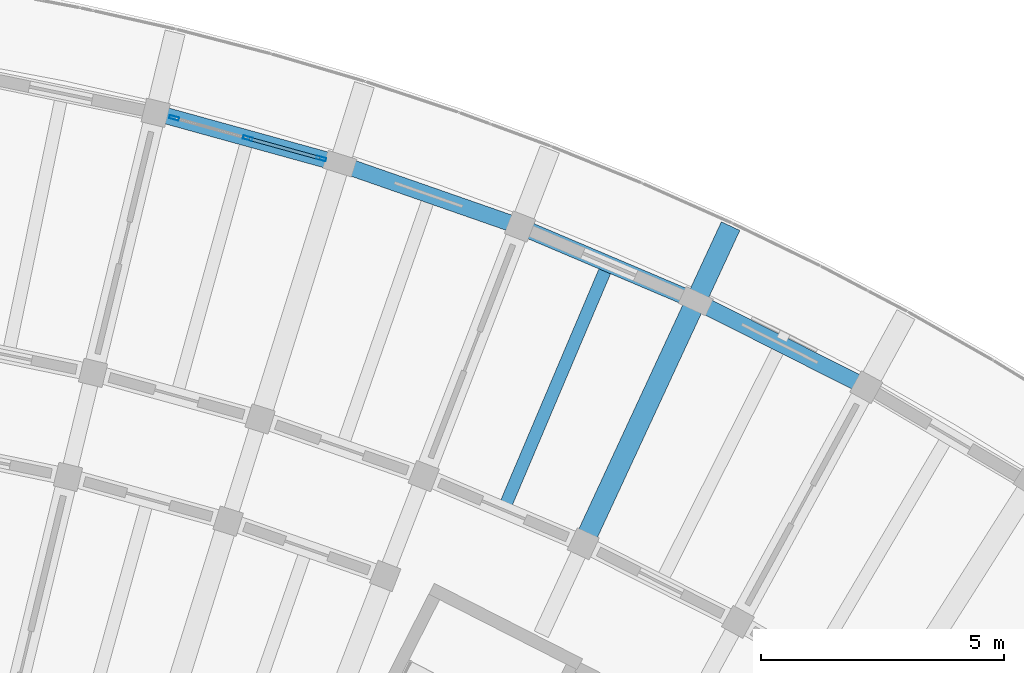
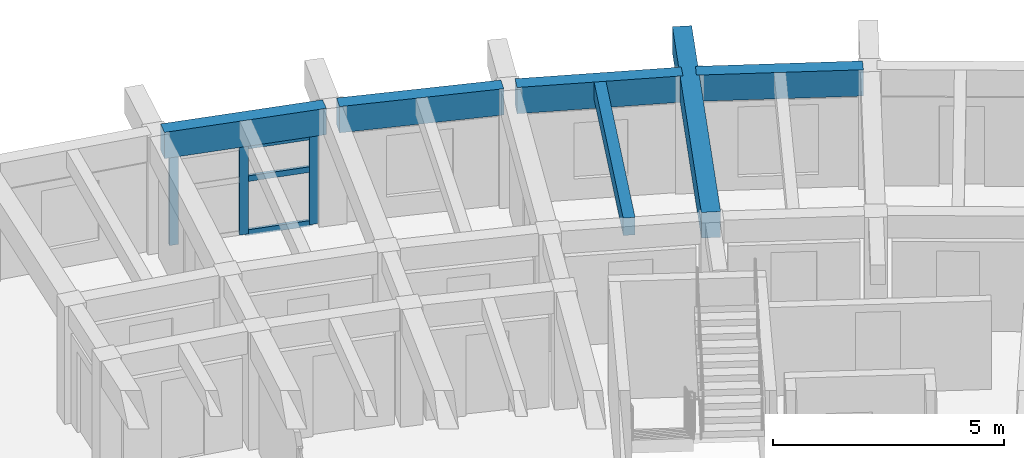
# One storey, part 30 of 83: 6 beams, 6 members, 1 element without a shape of its own.
"""IFC4 building model written with IfcOpenShell, lengths in metres."""

from ifc_helpers import new_model, si_unit, direction, frame, origin, origin_2d, place, context, subcontext, project, spatial, rectangle, hollow_rectangle, extrude, material, material_profile, profile_set, type_object, element, aggregate, save


model = new_model("IFC4")

# Units and contexts
model_context = context("Model", 3, precision=1e-05, world=origin(), true_north=direction((0.0, 1.0)))
body_context = subcontext(model_context, "Body", "Model", "MODEL_VIEW")
ifc_project = project(units=[si_unit("LENGTHUNIT", "METRE"), si_unit("AREAUNIT", "SQUARE_METRE"), si_unit("VOLUMEUNIT", "CUBIC_METRE"), si_unit("PLANEANGLEUNIT", "RADIAN"), si_unit("MASSUNIT", "GRAM", prefix="KILO")], contexts=[model_context])

# Site, building, storey
site_placement = place(None, origin())
site = spatial("IfcSite", under=ifc_project, at=site_placement, CompositionType="ELEMENT")
building_placement = place(site_placement, origin())
building = spatial("IfcBuilding", under=site, at=building_placement, Name="Tanwirah Colonnade Gardens", CompositionType="ELEMENT")
storey_placement = place(building_placement, frame((0.0, 0.0, 25.639892578125)))
storey = spatial("IfcBuildingStorey", under=building, at=storey_placement, Name="L07", CompositionType="ELEMENT", Elevation=25.639892578125)

# Beam
ifc_material_1 = material(Name="Precast concrete C45/55", Category="concrete")
ifc_material_profile_1 = material_profile(ifc_material_1, rectangle(XDim=0.419921875, YDim=0.679931640625, at=origin_2d()), Name="PC-BM 420x680")
ifc_profile_set_1 = profile_set([ifc_material_profile_1], Name="Precast concrete C45/55")
beam_type_1 = type_object("IfcBeamType", Name="BM-PC420", PredefinedType="BEAM", material=ifc_profile_set_1)
beam_1_placement = place(storey_placement, frame((143.810546875, 109.3662109375, 2.77001953125), z_axis=(0.420855908645, 0.9071275016, 0.0), x_axis=(-0.9071275016, 0.420855908645, 0.0)))
element("IfcBeam", 1, at=beam_1_placement, inside=storey, type_object=beam_type_1, Name="Block B L07 Outer Radial Precast Girder 13", PredefinedType="BEAM", context=body_context, shape_type="SweptSolid", body=[
    extrude(rectangle(XDim=0.419921875, YDim=0.679931640625, at=origin_2d()), origin(), (0.0, 0.0, 1.0), 7.050048828125),
])

# Curtain wall, members
ifc_material_2 = material(Name="Bronze-anodised aluminium and solar-control low-E glass", Category="aluminium")
curtain_wall_type = type_object("IfcCurtainWallType", Name="CW-LOB", PredefinedType="NOTDEFINED", material=ifc_material_2)
curtain_wall_placement = place(storey_placement, origin())
curtain_wall = element("IfcCurtainWall", 2, at=curtain_wall_placement, inside=storey, type_object=curtain_wall_type, Name="Curtain Wall CW-B-L07-OUT-15", PredefinedType="NOTDEFINED")
ifc_material_3 = material(Name="Bronze-anodised aluminium", Category="aluminium")
ifc_material_profile_2 = material_profile(ifc_material_3, hollow_rectangle(XDim=0.070068359375, YDim=0.199951171875, WallThickness=0.00390625, at=origin_2d()), Name="CW-MUL 70x200x4")
ifc_profile_set_2 = profile_set([ifc_material_profile_2], Name="Bronze-anodised aluminium")
member_type_1 = type_object("IfcMemberType", Name="CWM-70x200", PredefinedType="MULLION", material=ifc_profile_set_2)
member_1_placement = place(storey_placement, frame((138.361083984375, 117.15087890625, 0.0), z_axis=(0.0, 0.0, 1.0), x_axis=(-0.266304528994, -0.963888944764, 0.0)))
member_1 = element("IfcMember", 3, at=member_1_placement, type_object=member_type_1, Name="CW-LOB mullion 1", PredefinedType="MULLION", context=body_context, shape_type="SweptSolid", body=[
    extrude(hollow_rectangle(XDim=0.070068359375, YDim=0.199951171875, WallThickness=0.00390625, at=origin_2d()), origin(), (0.0, 0.0, 1.0), 2.355224609375),
])
member_2_placement = place(storey_placement, frame((136.849853515625, 117.568359375, 0.0), z_axis=(0.0, 0.0, 1.0), x_axis=(-0.266304528994, -0.963888944764, 0.0)))
member_2 = element("IfcMember", 4, at=member_2_placement, type_object=member_type_1, Name="CW-LOB mullion 2", PredefinedType="MULLION", context=body_context, shape_type="SweptSolid", body=[
    extrude(hollow_rectangle(XDim=0.070068359375, YDim=0.199951171875, WallThickness=0.00390625, at=origin_2d()), origin(), (0.0, 0.0, 1.0), 2.355224609375),
])
member_3_placement = place(storey_placement, frame((135.338623046875, 117.98583984375, 0.0), z_axis=(0.0, 0.0, 1.0), x_axis=(-0.266304528994, -0.963888944764, 0.0)))
member_3 = element("IfcMember", 5, at=member_3_placement, type_object=member_type_1, Name="CW-LOB mullion 3", PredefinedType="MULLION", context=body_context, shape_type="SweptSolid", body=[
    extrude(hollow_rectangle(XDim=0.070068359375, YDim=0.199951171875, WallThickness=0.00390625, at=origin_2d()), origin(), (0.0, 0.0, 1.0), 2.355224609375),
])
ifc_material_profile_3 = material_profile(ifc_material_3, hollow_rectangle(XDim=0.070068359375, YDim=0.14990234375, WallThickness=0.00390625, at=origin_2d()), Name="CW-TRN 70x150x4")
ifc_profile_set_3 = profile_set([ifc_material_profile_3], Name="Bronze-anodised aluminium")
member_type_2 = type_object("IfcMemberType", Name="CWT-70x150", PredefinedType="USERDEFINED", material=ifc_profile_set_3)
member_4_placement = place(storey_placement, frame((138.3271484375, 117.16015625, 0.03515625), z_axis=(-0.963874363774, 0.26635729924, 0.0), x_axis=(-0.26635729924, -0.963874363774, 0.0)))
member_4 = element("IfcMember", 6, at=member_4_placement, type_object=member_type_2, Name="CW-LOB transom 1.1", ObjectType="TRANSOM", PredefinedType="USERDEFINED", context=body_context, shape_type="SweptSolid", body=[
    extrude(hollow_rectangle(XDim=0.070068359375, YDim=0.14990234375, WallThickness=0.00390625, at=origin_2d()), origin(), (0.0, 0.0, 1.0), 1.497802734375),
])
member_5_placement = place(storey_placement, frame((138.3271484375, 117.16015625, 1.460205078125), z_axis=(-0.963874363774, 0.26635729924, 0.0), x_axis=(-0.26635729924, -0.963874363774, 0.0)))
member_5 = element("IfcMember", 7, at=member_5_placement, type_object=member_type_2, Name="CW-LOB transom 1.2", ObjectType="TRANSOM", PredefinedType="USERDEFINED", context=body_context, shape_type="SweptSolid", body=[
    extrude(hollow_rectangle(XDim=0.070068359375, YDim=0.14990234375, WallThickness=0.00390625, at=origin_2d()), origin(), (0.0, 0.0, 1.0), 1.497802734375),
])
member_6_placement = place(storey_placement, frame((138.3271484375, 117.16015625, 2.320068359375), z_axis=(-0.963874363774, 0.26635729924, 0.0), x_axis=(-0.26635729924, -0.963874363774, 0.0)))
member_6 = element("IfcMember", 8, at=member_6_placement, type_object=member_type_2, Name="CW-LOB transom 1.3", ObjectType="TRANSOM", PredefinedType="USERDEFINED", context=body_context, shape_type="SweptSolid", body=[
    extrude(hollow_rectangle(XDim=0.070068359375, YDim=0.14990234375, WallThickness=0.00390625, at=origin_2d()), origin(), (0.0, 0.0, 1.0), 1.497802734375),
])
aggregate(curtain_wall, [member_1, member_2, member_3, member_4, member_5, member_6])

# Beams
ifc_material_4 = material(Name="Precast concrete C40/50", Category="concrete")
ifc_material_profile_4 = material_profile(ifc_material_4, rectangle(XDim=0.260009765625, YDim=0.4599609375, at=origin_2d()), Name="PC-JST 260x460")
ifc_profile_set_4 = profile_set([ifc_material_profile_4], Name="Precast concrete C40/50")
beam_type_2 = type_object("IfcBeamType", Name="JST-PC260", PredefinedType="JOIST", material=ifc_profile_set_4)
beam_2_placement = place(storey_placement, frame((142.166015625, 110.063720703125, 2.880126953125), z_axis=(0.390723870106, 0.92050793442, 0.0), x_axis=(-0.92050793442, 0.390723870106, 0.0)))
element("IfcBeam", 9, at=beam_2_placement, inside=storey, type_object=beam_type_2, Name="Block B L07 Precast Floor Joist 13", PredefinedType="JOIST", context=body_context, shape_type="SweptSolid", body=[
    extrude(rectangle(XDim=0.260009765625, YDim=0.4599609375, at=origin_2d()), origin(), (0.0, 0.0, 1.0), 5.260009765625),
])
ifc_material_profile_5 = material_profile(ifc_material_4, rectangle(XDim=0.3349609375, YDim=0.695068359375, at=origin_2d()), Name="PC-SP 335x695")
ifc_profile_set_5 = profile_set([ifc_material_profile_5], Name="Precast concrete C40/50")
beam_type_3 = type_object("IfcBeamType", Name="SP-PC300", PredefinedType="SPANDREL", material=ifc_profile_set_5)
beam_3_placement = place(storey_placement, frame((149.43310546875, 112.518310546875, 2.7626953125), z_axis=(-0.892764670911, 0.450523298368, 0.0), x_axis=(-0.450523298368, -0.892764670911, 0.0)))
element("IfcBeam", 10, at=beam_3_placement, inside=storey, type_object=beam_type_3, Name="Block B L07 Circumferential Beam 12-R3", PredefinedType="SPANDREL", context=body_context, shape_type="SweptSolid", body=[
    extrude(rectangle(XDim=0.3349609375, YDim=0.695068359375, at=origin_2d()), origin(), (0.0, 0.0, 1.0), 3.6259765625),
])
for number, where, z_axis, x_axis, name in (
    (11, (145.924072265625, 114.27783203125, 2.7626953125), (-0.920494456807, 0.390755620545, 0.0), (-0.390755620545, -0.920494456807, 0.0), "Block B L07 Circumferential Beam 13-R3"),
    (12, (142.306884765625, 115.802490234375, 2.7626953125), (-0.944236700093, 0.329267450863, 0.0), (-0.329267450863, -0.944236700093, 0.0), "Block B L07 Circumferential Beam 14-R3"),
    (13, (138.59716796875, 117.085693359375, 2.7626953125), (-0.963888380927, 0.266306569792, 0.0), (-0.266306569792, -0.963888380927, 0.0), "Block B L07 Circumferential Beam 15-R3"),
):
    element("IfcBeam", number, at=place(storey_placement, frame(where, z_axis=z_axis, x_axis=x_axis)), inside=storey, type_object=beam_type_3, Name=name, PredefinedType="SPANDREL", context=body_context, shape_type="SweptSolid", body=[
        extrude(rectangle(XDim=0.3349609375, YDim=0.695068359375, at=origin_2d()), origin(), (0.0, 0.0, 1.0), 3.625732421875),
    ])

save(model, "model.ifc")
